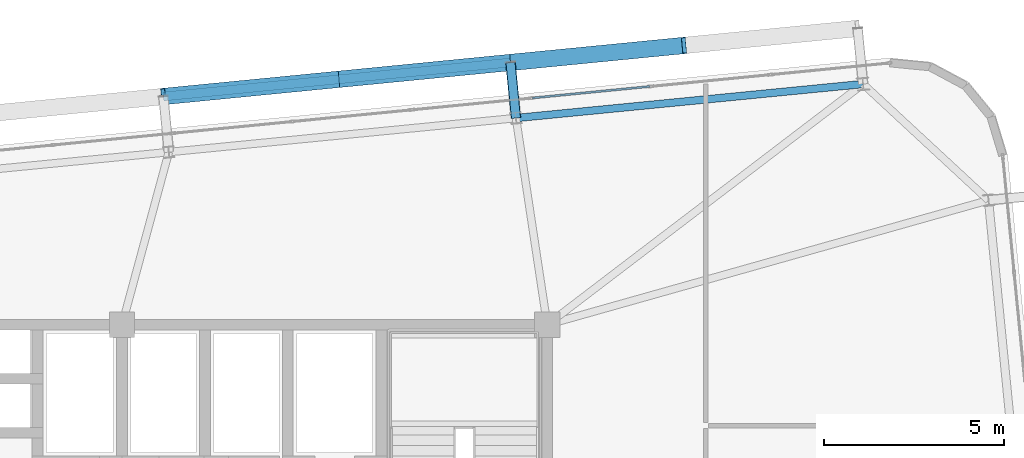
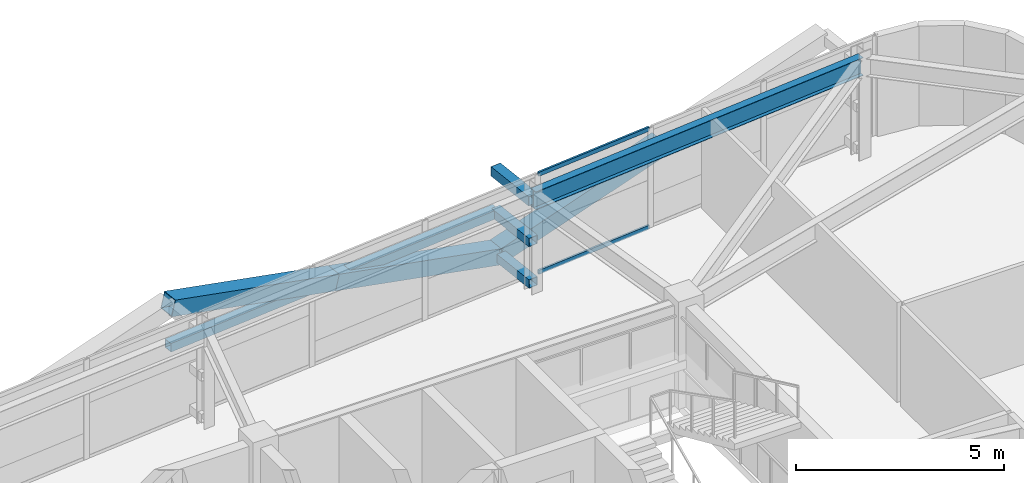
# One storey, part 32 of 54: 9 members, 1 beam, 1 element without a shape of its own.
"""IFC4 building model written with IfcOpenShell, lengths in metres."""

import ifcopenshell
import ifcopenshell.guid

model = None  # the IFC model being written
_history = None  # IfcOwnerHistory: only IFC2X3 demands one
_inside = {}  # id of a spatial element -> (the spatial element, [elements in it])
_under = {}  # id of a project, library or spatial element -> (it, [spatial elements below it])
_declared = {}  # id of a project -> (the project, [libraries it declares])
_typed = {}  # id of a type object -> (the type object, [elements of that type])
_made_of = {}  # id of a material, layer set ... -> (it, [elements and type objects made of it])


def new_model(schema):
    """Start an empty IFC model of exactly this schema.

    Asked for "IFC4X3", IfcOpenShell would pick the latest addendum, in which some entities
    have other attributes; the version numbers below select the first issue.
    IFC2X3 requires an IfcOwnerHistory on every rooted entity: one is made here for all.
    """
    global model, _history
    if schema == "IFC4X3":
        model = ifcopenshell.file(schema_version=(4, 3, 0, 0))
    else:
        model = ifcopenshell.file(schema=schema)
    _inside.clear()
    _under.clear()
    _declared.clear()
    _typed.clear()
    _made_of.clear()
    _history = None
    if model.schema == "IFC2X3":
        org = make("IfcOrganization", Name="unknown")
        user = make(
            "IfcPersonAndOrganization",
            ThePerson=make("IfcPerson", FamilyName="unknown"),
            TheOrganization=org,
        )
        app = make(
            "IfcApplication",
            ApplicationDeveloper=org,
            Version="unknown",
            ApplicationFullName="unknown",
            ApplicationIdentifier="unknown",
        )
        _history = make(
            "IfcOwnerHistory",
            OwningUser=user,
            OwningApplication=app,
            ChangeAction="ADDED",
            CreationDate=0,
        )
    return model


def make(cls, **values):
    """One entity of the class cls with the attributes given. An attribute that is None is left unset."""
    return model.create_entity(
        cls, **{name: value for name, value in values.items() if value is not None}
    )


def rooted(cls, **values):
    """An entity with a GlobalId (a new one), such as an element, a storey or a relation."""
    return make(cls, GlobalId=ifcopenshell.guid.new(), OwnerHistory=_history, **values)


def si_unit(unit_type, name, prefix=None):
    """IfcSIUnit, for example si_unit("LENGTHUNIT", "METRE", prefix="MILLI")."""
    return make("IfcSIUnit", UnitType=unit_type, Prefix=prefix, Name=name)


def assignment(units):
    """IfcUnitAssignment: the units of a project."""
    return None if units is None else make("IfcUnitAssignment", Units=units)


def point(xyz):
    """IfcCartesianPoint."""
    return None if xyz is None else make("IfcCartesianPoint", Coordinates=xyz)


def direction(xyz):
    """IfcDirection."""
    return None if xyz is None else make("IfcDirection", DirectionRatios=xyz)


def frame(location, z_axis=None, x_axis=None):
    """IfcAxis2Placement3D, a coordinate frame: its origin and axes. An axis left out is left unset."""
    return make(
        "IfcAxis2Placement3D",
        Location=point(location),
        Axis=direction(z_axis),
        RefDirection=direction(x_axis),
    )


def frame_2d(location, x_axis=None):
    """IfcAxis2Placement2D, a coordinate frame in the plane: its origin and x axis."""
    return make(
        "IfcAxis2Placement2D", Location=point(location), RefDirection=direction(x_axis)
    )


def origin():
    """The frame at (0, 0, 0) with its axes left unset."""
    return frame((0.0, 0.0, 0.0))


def origin_2d():
    """The frame at (0, 0) in the plane with its x axis left unset."""
    return frame_2d((0.0, 0.0))


def place(relative_to, where):
    """IfcLocalPlacement: puts the frame where relative to a parent placement (None: the world)."""
    return make(
        "IfcLocalPlacement", PlacementRelTo=relative_to, RelativePlacement=where
    )


def context(
    kind, dimensions, precision=None, world=None, true_north=None, identifier=None
):
    """IfcGeometricRepresentationContext, for example the 3D "Model" context."""
    return make(
        "IfcGeometricRepresentationContext",
        ContextIdentifier=identifier,
        ContextType=kind,
        CoordinateSpaceDimension=dimensions,
        Precision=precision,
        WorldCoordinateSystem=world,
        TrueNorth=true_north,
    )


def subcontext(parent, identifier, kind, view, scale=None):
    """IfcGeometricRepresentationSubContext, for example "Body" below "Model"."""
    return make(
        "IfcGeometricRepresentationSubContext",
        ContextIdentifier=identifier,
        ContextType=kind,
        ParentContext=parent,
        TargetScale=scale,
        TargetView=view,
    )


def project(units=None, contexts=None):
    """IfcProject with its units and contexts."""
    return rooted(
        "IfcProject",
        Name="project",
        RepresentationContexts=contexts,
        UnitsInContext=assignment(units),
    )


def spatial(cls, under=None, at=None, **own):
    """A site, building, storey or space (cls), placed at a placement, below another one or the project."""
    s = rooted(cls, ObjectPlacement=at, **own)
    if under is not None:
        _under.setdefault(under.id(), (under, []))[1].append(s)
    return s


def profile(cls, at=None, kind="AREA", **sizes):
    """A parametric profile (cls). Its sizes go by their IFC names, for example OverallWidth=200.0."""
    return make(cls, ProfileType=kind, Position=at, **sizes)


def hollow_rectangle(**sizes):
    """IfcRectangleHollowProfileDef."""
    return profile("IfcRectangleHollowProfileDef", **sizes)


def i_section(**sizes):
    """IfcIShapeProfileDef."""
    return profile("IfcIShapeProfileDef", **sizes)


def extrude(swept, where, along, depth):
    """IfcExtrudedAreaSolid: the profile swept, set in the frame where, extruded along a direction by depth."""
    return make(
        "IfcExtrudedAreaSolid",
        SweptArea=swept,
        Position=where,
        ExtrudedDirection=direction(along),
        Depth=depth,
    )


def shape(context_of_items, identifier, shape_type, items):
    """IfcShapeRepresentation: the items that make up one representation, for example the "Body"."""
    return make(
        "IfcShapeRepresentation",
        ContextOfItems=context_of_items,
        RepresentationIdentifier=identifier,
        RepresentationType=shape_type,
        Items=items,
    )


def source(mapping_origin, context_of_items, identifier, shape_type, items):
    """IfcRepresentationMap: a shape defined once, which mapped items show again and again."""
    return make(
        "IfcRepresentationMap",
        MappingOrigin=mapping_origin,
        MappedRepresentation=shape(context_of_items, identifier, shape_type, items),
    )


def transform(
    local_origin,
    x_axis=None,
    y_axis=None,
    z_axis=None,
    scale=None,
    scale2=None,
    scale3=None,
    uniform=True,
):
    """IfcCartesianTransformationOperator3D, or its non-uniform kind. x_axis, y_axis, z_axis: its Axis1, 2, 3."""
    if uniform:
        return make(
            "IfcCartesianTransformationOperator3D",
            Axis1=direction(x_axis),
            Axis2=direction(y_axis),
            LocalOrigin=point(local_origin),
            Scale=scale,
            Axis3=direction(z_axis),
        )
    return make(
        "IfcCartesianTransformationOperator3DnonUniform",
        Axis1=direction(x_axis),
        Axis2=direction(y_axis),
        LocalOrigin=point(local_origin),
        Scale=scale,
        Axis3=direction(z_axis),
        Scale2=scale2,
        Scale3=scale3,
    )


def mapped(mapping_source, mapping_target):
    """IfcMappedItem: shows the shape of a source again, moved by a transform."""
    return make(
        "IfcMappedItem", MappingSource=mapping_source, MappingTarget=mapping_target
    )


def material(Name=None, Category=None):
    """IfcMaterial."""
    return make("IfcMaterial", Name=Name, Category=Category)


def layer(
    of_material, thickness, ventilated=None, Name=None, Category=None, Priority=None
):
    """IfcMaterialLayer: one layer of a wall or slab, of a material (None: an air gap)."""
    return make(
        "IfcMaterialLayer",
        Material=of_material,
        LayerThickness=thickness,
        IsVentilated=ventilated,
        Name=Name,
        Category=Category,
        Priority=Priority,
    )


def layer_set(layers, Name=None):
    """IfcMaterialLayerSet."""
    return make("IfcMaterialLayerSet", MaterialLayers=layers, LayerSetName=Name)


def material_profile(
    of_material, cross_section, Name=None, Category=None, Priority=None
):
    """IfcMaterialProfile: a cross section and its material."""
    return make(
        "IfcMaterialProfile",
        Name=Name,
        Material=of_material,
        Profile=cross_section,
        Priority=Priority,
        Category=Category,
    )


def profile_set(profiles, Name=None, composite=None):
    """IfcMaterialProfileSet."""
    return make(
        "IfcMaterialProfileSet",
        Name=Name,
        MaterialProfiles=profiles,
        CompositeProfile=composite,
    )


def made_of(thing, what):
    """Note that an element or type object is made of a material, layer set ...; save() writes the relation."""
    if what is not None:
        _made_of.setdefault(what.id(), (what, []))[1].append(thing)
    return thing


def type_object(cls, material=None, **own):
    """A type object (cls), such as IfcWallType, which elements share."""
    return made_of(rooted(cls, **own), material)


def element(
    cls,
    number,
    at=None,
    inside=None,
    cuts=None,
    type_object=None,
    material=None,
    context=None,
    identifier="Body",
    shape_type=None,
    held_by="IfcProductDefinitionShape",
    body=None,
    shapes=None,
    **own,
):
    """One element of the class cls, such as IfcWall. Its Tag is "e" and its number.

    at: its placement. inside: the storey or other place that contains it. cuts: it is an
    opening in that element (IfcRelVoidsElement). A single representation is given by context,
    identifier, shape_type and body (its items); several are given by shapes. held_by: the class
    of the entity that holds the representations. save() writes the other relations.
    """
    e = rooted(cls, Tag="e%d" % number, ObjectPlacement=at, **own)
    if body is not None:
        shapes = [shape(context, identifier, shape_type, body)]
    if shapes is not None:
        e.Representation = make(held_by, Representations=shapes)
    if inside is not None:
        _inside.setdefault(inside.id(), (inside, []))[1].append(e)
    if cuts is not None:
        rooted(
            "IfcRelVoidsElement", RelatingBuildingElement=cuts, RelatedOpeningElement=e
        )
    if type_object is not None:
        _typed.setdefault(type_object.id(), (type_object, []))[1].append(e)
    return made_of(e, material)


def aggregate(whole, parts):
    """IfcRelAggregates: a whole, such as a stair, and the parts it consists of."""
    return rooted("IfcRelAggregates", RelatingObject=whole, RelatedObjects=parts)


def save(model, path):
    """Write the relations noted so far, then the file.

    IfcRelAggregates (storeys below a building ...), IfcRelContainedInSpatialStructure (elements
    in a storey), IfcRelDefinesByType, IfcRelAssociatesMaterial and IfcRelDeclares: one each for
    every whole, place, type object, material and project.
    """
    for whole, parts in _under.values():
        aggregate(whole, parts)
    for where, things in _inside.values():
        rooted(
            "IfcRelContainedInSpatialStructure",
            RelatedElements=things,
            RelatingStructure=where,
        )
    for kind, things in _typed.values():
        rooted("IfcRelDefinesByType", RelatedObjects=things, RelatingType=kind)
    for what, things in _made_of.values():
        rooted("IfcRelAssociatesMaterial", RelatedObjects=things, RelatingMaterial=what)
    for by, libraries in _declared.values():
        rooted("IfcRelDeclares", RelatingContext=by, RelatedDefinitions=libraries)
    model.write(path)


model = new_model("IFC4")

# Units and contexts
model_context = context("Model", 3, precision=1e-05, world=origin(), true_north=direction((0.0, 1.0)))
body_context = subcontext(model_context, "Body", "Model", "MODEL_VIEW")
ifc_project = project(units=[si_unit("LENGTHUNIT", "METRE"), si_unit("AREAUNIT", "SQUARE_METRE"), si_unit("VOLUMEUNIT", "CUBIC_METRE"), si_unit("PLANEANGLEUNIT", "RADIAN"), si_unit("MASSUNIT", "GRAM", prefix="KILO")], contexts=[model_context])

# Site, building, storey
site_placement = place(None, origin())
site = spatial("IfcSite", under=ifc_project, at=site_placement, CompositionType="ELEMENT")
building_placement = place(site_placement, origin())
building = spatial("IfcBuilding", under=site, at=building_placement, Name="Taldren Reach Tower", CompositionType="ELEMENT")
storey_placement = place(building_placement, frame((0.0, 0.0, 99.75)))
storey = spatial("IfcBuildingStorey", under=building, at=storey_placement, Name="L30", CompositionType="ELEMENT", Elevation=99.75)

# Members
ifc_material_1 = material(Name="Steel Gr 450 (C450L0)", Category="steel")
ifc_material_profile_1 = material_profile(ifc_material_1, hollow_rectangle(XDim=0.27490234375, YDim=0.27490234375, WallThickness=0.00927734375, at=origin_2d()), Name="275x275x9.3SHS")
ifc_profile_set_1 = profile_set([ifc_material_profile_1], Name="Steel Gr 450 (C450L0)")
member_type_1 = type_object("IfcMemberType", Name="MB-TIE273", PredefinedType="STRUT", material=ifc_profile_set_1)
shared_shape_1 = source(origin(), body_context, "Body", "SweptSolid", [
    extrude(hollow_rectangle(XDim=0.27490234375, YDim=0.27490234375, WallThickness=0.00927734375, at=origin_2d()), origin(), (0.0, 0.0, 1.0), 1.5498046875),
])
member_1_placement = place(storey_placement, frame((50.132080078125, 37.7353515625, 2.64990234375), z_axis=(-0.097663201064, 0.995219523099, 0.0), x_axis=(-0.995219523099, -0.097663201064, 0.0)))
element("IfcMember", 1, at=member_1_placement, inside=storey, type_object=member_type_1, Name="Exoskeleton diaphragm tie strut B2-N5 L30", PredefinedType="STRUT", context=body_context, shape_type="MappedRepresentation", body=[
    mapped(shared_shape_1, transform((0.0, 0.0, 0.0), scale=1.0)),
])
ifc_material_2 = material(Name="Steel Gr 350 (C350L0)", Category="steel")
ifc_material_profile_2 = material_profile(ifc_material_2, hollow_rectangle(XDim=0.25, YDim=0.25, WallThickness=0.010009765625, at=origin_2d()), Name="250x250x10.0SHS")
ifc_profile_set_2 = profile_set([ifc_material_profile_2], Name="Steel Gr 350 (C350L0)")
member_type_2 = type_object("IfcMemberType", Name="MB-POST250", PredefinedType="POST", material=ifc_profile_set_2)
shared_shape_2 = source(origin(), body_context, "Body", "SweptSolid", [
    extrude(hollow_rectangle(XDim=0.25, YDim=0.25, WallThickness=0.010009765625, at=origin_2d()), origin(), (0.0, 0.0, 1.0), 1.5498046875),
])
for number, where, z_axis, x_axis, name in (
    (2, (50.132080078125, 37.7353515625, 0.219970703125), (-0.097663201064, 0.995219523099, 0.0), (-0.995219523099, -0.097663201064, 0.0), "Exoskeleton base diaphragm tie strut B2-N5 L30"),
    (3, (50.132080078125, 37.7353515625, 1.43505859375), (-0.097663201064, 0.995219523099, 0.0), (-0.995219523099, -0.097663201064, 0.0), "Exoskeleton mid-tier diaphragm tie B2-N5 L30"),
):
    element("IfcMember", number, at=place(storey_placement, frame(where, z_axis=z_axis, x_axis=x_axis)), inside=storey, type_object=member_type_2, Name=name, PredefinedType="POST", context=body_context, shape_type="MappedRepresentation", body=[
        mapped(shared_shape_2, transform((0.0, 0.0, 0.0), scale=1.0)),
    ])

# Beam
ifc_material_3 = material(Name="Steel Gr 350 (350PLUS)", Category="steel")
ifc_material_profile_3 = material_profile(ifc_material_3, i_section(OverallWidth=0.208984375, OverallDepth=0.528076171875, WebThickness=0.009521484375, FlangeThickness=0.01318359375, at=origin_2d()), Name="530UB82.0")
ifc_profile_set_3 = profile_set([ifc_material_profile_3], Name="Steel Gr 350 (350PLUS)")
beam_type = type_object("IfcBeamType", Name="SP-UB530B", PredefinedType="SPANDREL", material=ifc_profile_set_3)
shared_shape_3 = source(origin(), body_context, "Body", "SweptSolid", [
    extrude(i_section(OverallWidth=0.208984375, OverallDepth=0.528076171875, WebThickness=0.009521484375, FlangeThickness=0.01318359375, at=origin_2d()), origin(), (0.0, 0.0, 1.0), 9.679931640625),
])
beam_placement = place(storey_placement, frame((59.765869140625, 38.679931640625, 2.666015625), z_axis=(-0.995227612658, -0.097580730699, 0.0), x_axis=(0.097580730699, -0.995227612658, 0.0)))
element("IfcBeam", 4, at=beam_placement, inside=storey, type_object=beam_type, Name="Perimeter spandrel B2 N6-N5 L30", PredefinedType="SPANDREL", context=body_context, shape_type="MappedRepresentation", body=[
    mapped(shared_shape_3, transform((0.0, 0.0, 0.0), scale=1.0)),
])

# Members
ifc_material_profile_4 = material_profile(ifc_material_1, hollow_rectangle(XDim=0.4599609375, YDim=0.4599609375, WallThickness=0.01611328125, at=origin_2d()), Name="460x460x16.0SHS")
ifc_profile_set_4 = profile_set([ifc_material_profile_4], Name="Steel Gr 450 (C450L0)")
member_type_3 = type_object("IfcMemberType", Name="MB-EXO457", PredefinedType="BRACE", material=ifc_profile_set_4)
shared_shape_4 = source(origin(), body_context, "Body", "SweptSolid", [
    extrude(hollow_rectangle(XDim=0.4599609375, YDim=0.4599609375, WallThickness=0.01611328125, at=origin_2d()), origin(), (0.0, 0.0, 1.0), 4.990234375),
])
for number, where, z_axis, x_axis, name in (
    (5, (49.980712890625, 39.27783203125, 0.219970703125), (-0.965275526283, -0.094619506732, 0.243496010862), (0.097555749586, -0.995230061706, 0.0), "Exoskeleton Diagrid Brace B2-N4 L30"),
    (6, (45.163818359375, 38.8056640625, 1.43505859375), (-0.965282554799, -0.094669120301, 0.243448859234), (0.097605711627, -0.995225162995, 0.0), "Exoskeleton Diagrid Brace B2-N4 L30"),
    (7, (49.980712890625, 39.27783203125, 0.219970703125), (0.965271056716, 0.094667992638, 0.243494883389), (-0.097605711627, 0.995225162995, 0.0), "Exoskeleton Diagrid Brace B2-N5 L30"),
):
    element("IfcMember", number, at=place(storey_placement, frame(where, z_axis=z_axis, x_axis=x_axis)), inside=storey, type_object=member_type_3, Name=name, PredefinedType="BRACE", context=body_context, shape_type="MappedRepresentation", body=[
        mapped(shared_shape_4, transform((0.0, 0.0, 0.0), scale=1.0)),
    ])
shared_shape_5 = source(origin(), body_context, "Body", "SweptSolid", [
    extrude(hollow_rectangle(XDim=0.25, YDim=0.25, WallThickness=0.010009765625, at=origin_2d()), origin(), (0.0, 0.0, 1.0), 9.679931640625),
])
member_2_placement = place(storey_placement, frame((40.346923828125, 38.333251953125, 1.43505859375), z_axis=(0.995227612658, 0.097580730699, 0.0), x_axis=(-0.097580730699, 0.995227612658, 0.0)))
element("IfcMember", 8, at=member_2_placement, inside=storey, type_object=member_type_2, Name="Exoskeleton mid-height ring chord B2-N4 L30", PredefinedType="POST", context=body_context, shape_type="MappedRepresentation", body=[
    mapped(shared_shape_5, transform((0.0, 0.0, 0.0), scale=1.0)),
])

# Curtain wall, members
ifc_material_4 = material(Name="Aluminium and Low-E Glass Unitised System", Category="aluminium")
ifc_layer = layer(ifc_material_4, 0.159912109375)
ifc_layer_set = layer_set([ifc_layer], Name="Aluminium and Low-E Glass Unitised System")
curtain_wall_type = type_object("IfcCurtainWallType", Name="CW-SYS-3", PredefinedType="NOTDEFINED", material=ifc_layer_set)
curtain_wall_placement = place(storey_placement, origin())
curtain_wall = element("IfcCurtainWall", 9, at=curtain_wall_placement, inside=storey, type_object=curtain_wall_type, Name="Unitised curtain wall CW-L30-N", PredefinedType="NOTDEFINED")
ifc_material_5 = material(Name="Anodised Aluminium 6063-T6", Category="aluminium")
ifc_material_profile_5 = material_profile(ifc_material_5, hollow_rectangle(XDim=0.054931640625, YDim=0.1201171875, WallThickness=0.0029296875, at=origin_2d()), Name="ALU-120x55x3RHS")
ifc_profile_set_5 = profile_set([ifc_material_profile_5], Name="Anodised Aluminium 6063-T6")
member_type_4 = type_object("IfcMemberType", Name="CW-TRN-135", PredefinedType="USERDEFINED", material=ifc_profile_set_5)
shared_shape_6 = source(origin(), body_context, "Body", "SweptSolid", [
    extrude(hollow_rectangle(XDim=0.054931640625, YDim=0.1201171875, WallThickness=0.0029296875, at=origin_2d()), origin(), (0.0, 0.0, 1.0), 3.268310546875),
])
member_3_placement = place(storey_placement, frame((53.844970703125, 38.61181640625, 0.027587890625), z_axis=(-0.99522980512, -0.097558367146, 0.0), x_axis=(0.097558367146, -0.99522980512, 0.0)))
member_3 = element("IfcMember", 10, at=member_3_placement, type_object=member_type_4, Name="CW-3 transom 3.1", ObjectType="TRANSOM", PredefinedType="USERDEFINED", context=body_context, shape_type="MappedRepresentation", body=[
    mapped(shared_shape_6, transform((0.0, 0.0, 0.0), scale=1.0)),
])
member_4_placement = place(storey_placement, frame((53.844970703125, 38.61181640625, 2.902587890625), z_axis=(-0.99522980512, -0.097558367146, 0.0), x_axis=(0.097558367146, -0.99522980512, 0.0)))
member_4 = element("IfcMember", 11, at=member_4_placement, type_object=member_type_4, Name="CW-3 transom 3.2", ObjectType="TRANSOM", PredefinedType="USERDEFINED", context=body_context, shape_type="MappedRepresentation", body=[
    mapped(shared_shape_6, transform((0.0, 0.0, 0.0), scale=1.0)),
])
aggregate(curtain_wall, [member_3, member_4])

save(model, "model.ifc")
